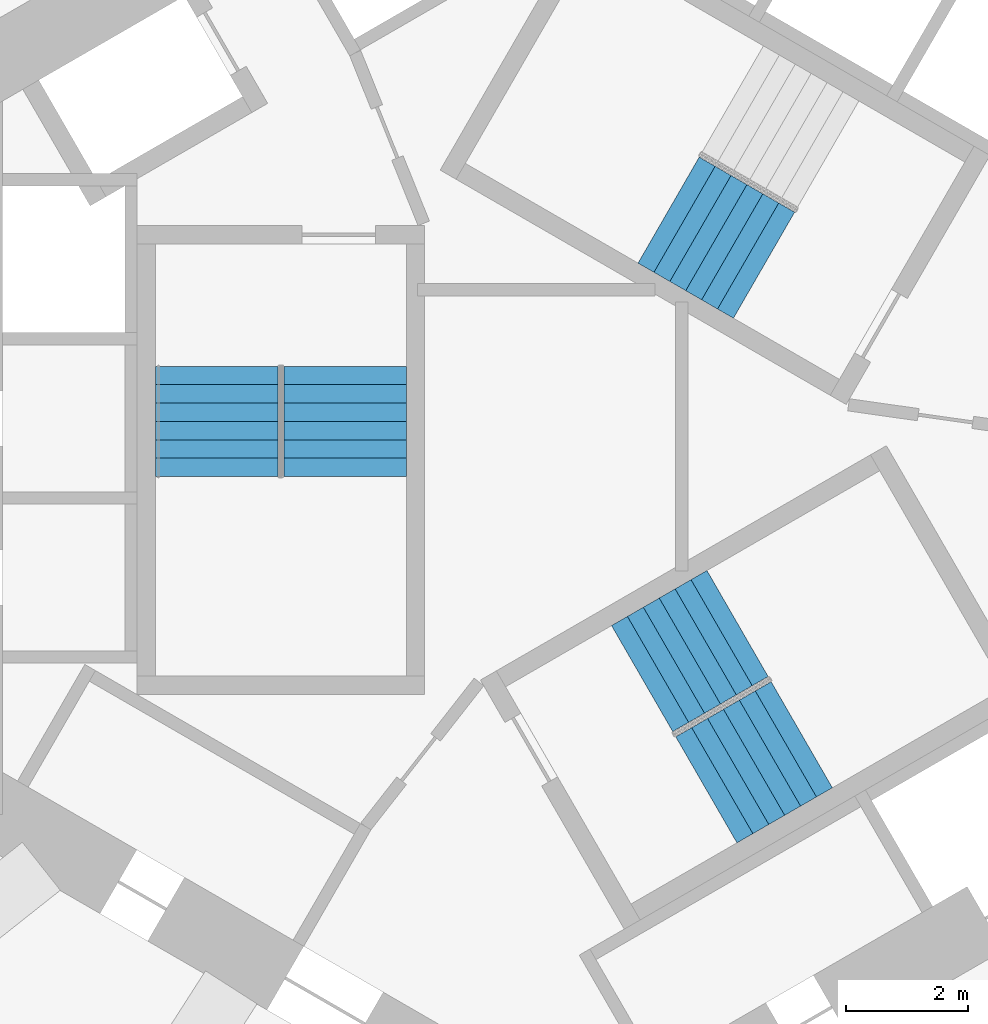
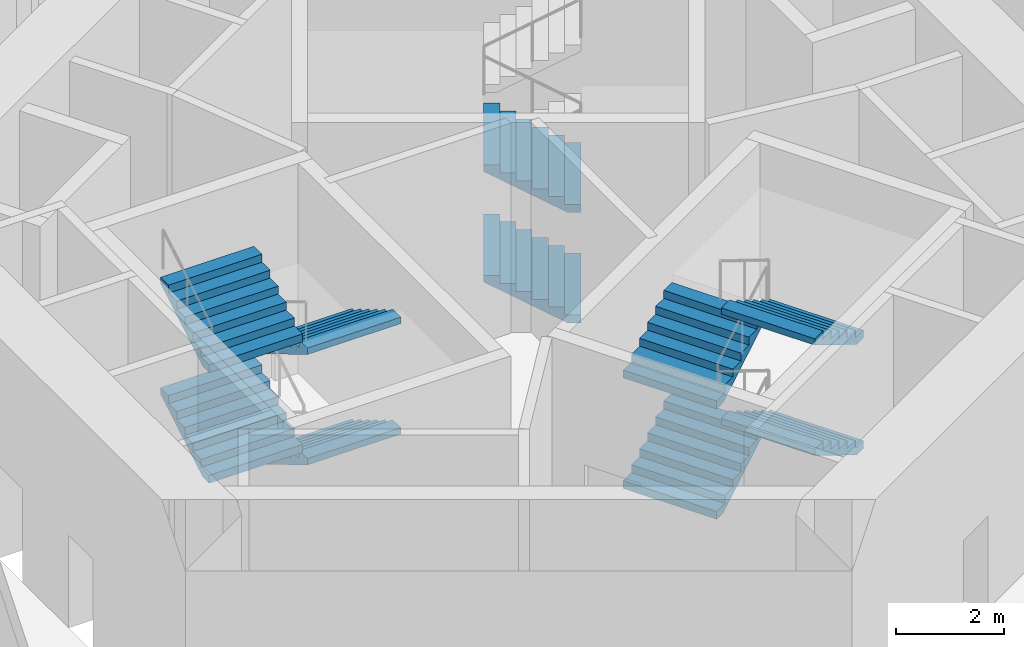
# One storey, part 16 of 19: 10 stair flights, 3 elements without a shape of their own.
"""IFC4 building model written with IfcOpenShell, lengths in metres."""

from ifc_helpers import new_model, si_unit, direction, frame, origin, place, context, subcontext, project, spatial, triangles, source, transform, mapped, material, type_object, element, aggregate, save


model = new_model("IFC4")

# Units and contexts
model_context = context("Model", 3, precision=1e-05, world=origin(), true_north=direction((0.0, 1.0)))
body_context = subcontext(model_context, "Body", "Model", "MODEL_VIEW")
ifc_project = project(units=[si_unit("LENGTHUNIT", "METRE"), si_unit("AREAUNIT", "SQUARE_METRE"), si_unit("VOLUMEUNIT", "CUBIC_METRE"), si_unit("PLANEANGLEUNIT", "RADIAN"), si_unit("MASSUNIT", "GRAM", prefix="KILO")], contexts=[model_context])

# Site, building, storey
site_placement = place(None, origin())
site = spatial("IfcSite", under=ifc_project, at=site_placement, CompositionType="ELEMENT")
building_placement = place(site_placement, origin())
building = spatial("IfcBuilding", under=site, at=building_placement, Name="Vanh Sen Convention Tower", CompositionType="ELEMENT")
storey_placement = place(building_placement, frame((0.0, 0.0, 39.0)))
storey = spatial("IfcBuildingStorey", under=building, at=storey_placement, Name="L06", CompositionType="ELEMENT", Elevation=39.0)

# Stair, stair flights
ifc_material_1 = material(Name="Concrete C50/60", Category="concrete")
stair_type_1 = type_object("IfcStairType", Name="Exit stair ST1 28 risers at 178.6", PredefinedType="HALF_TURN_STAIR", material=ifc_material_1)
stair_1_placement = place(storey_placement, origin())
stair_1 = element("IfcStair", 1, at=stair_1_placement, inside=storey, type_object=stair_type_1, Name="Exit stair ST1 L06", PredefinedType="HALF_TURN_STAIR")
ifc_material_2 = material(Name="Concrete C40/50", Category="concrete")
stair_flight_type = type_object("IfcStairFlightType", Name="Stair flight 2000", PredefinedType="STRAIGHT", material=ifc_material_2)
shared_shape = source(origin(), body_context, "Body", "Tessellation", [
    triangles([(0.244384765625, 1.0, 0.0), (0.0, 1.0, 0.0), (0.0, 1.0, 0.178466796875), (0.300048828125, 1.0, 0.178466796875), (0.300048828125, 1.0, 0.357177734375), (0.60009765625, 1.0, 0.357177734375), (0.60009765625, 1.0, 0.53564453125), (0.89990234375, 1.0, 0.53564453125), (0.89990234375, 1.0, 0.71435546875), (1.199951171875, 1.0, 0.71435546875), (1.199951171875, 1.0, 0.892822265625), (1.5, 1.0, 0.892822265625), (1.5, 1.0, 1.071533203125), (1.800048828125, 1.0, 1.071533203125), (1.800048828125, 1.0, 0.926025390625), (0.244384765625, -1.0, 0.0), (0.0, -1.0, 0.0), (0.0, -1.0, 0.178466796875), (0.300048828125, -1.0, 0.178466796875), (0.300048828125, -1.0, 0.357177734375), (0.60009765625, -1.0, 0.357177734375), (0.60009765625, -1.0, 0.53564453125), (0.89990234375, -1.0, 0.53564453125), (0.89990234375, -1.0, 0.71435546875), (1.199951171875, -1.0, 0.71435546875), (1.199951171875, -1.0, 0.892822265625), (1.5, -1.0, 0.892822265625), (1.5, -1.0, 1.071533203125), (1.800048828125, -1.0, 1.071533203125), (1.800048828125, -1.0, 0.926025390625), (0.0, 0.0400390625, 0.0), (0.0, 0.0390625, 0.0), (0.0, 0.0380859375, 0.0), (0.0, 0.037109375, 0.0), (0.0, 0.035888671875, 0.0), (0.0, 0.034912109375, 0.0), (0.0, 0.033935546875, 0.0), (0.0, 0.032958984375, 0.0), (0.0, 0.031982421875, 0.0), (0.0, 0.031005859375, 0.0), (0.0, 0.030029296875, 0.0), (0.0, 0.029052734375, 0.0), (0.0, 0.028076171875, 0.0), (0.0, 0.027099609375, 0.0), (0.0, 0.02587890625, 0.0), (0.0, 0.02490234375, 0.0), (0.0, 0.02392578125, 0.0), (0.0, 0.02294921875, 0.0), (0.0, 0.02197265625, 0.0), (0.0, 0.02099609375, 0.0), (0.0, 0.02001953125, 0.0), (0.0, 0.01904296875, 0.0), (0.0, 0.01806640625, 0.0), (0.0, 0.01708984375, 0.0), (0.0, 0.01611328125, 0.0), (0.0, 0.014892578125, 0.0), (0.0, 0.013916015625, 0.0), (0.0, 0.012939453125, 0.0), (0.0, 0.011962890625, 0.0), (0.0, 0.010986328125, 0.0), (0.0, 0.010009765625, 0.0), (0.0, 0.009033203125, 0.0), (0.0, 0.008056640625, 0.0), (0.0, 0.007080078125, 0.0), (0.0, 0.006103515625, 0.0), (0.0, 0.0048828125, 0.0), (0.0, 0.00390625, 0.0), (0.0, 0.0029296875, 0.0), (0.0, 0.001953125, 0.0), (0.0, 0.0009765625, 0.0), (0.0, 0.0, 0.0), (0.0, -0.0009765625, 0.0), (0.0, -0.001953125, 0.0), (0.0, -0.0029296875, 0.0), (0.0, -0.00390625, 0.0), (0.0, -0.0048828125, 0.0), (0.0, -0.006103515625, 0.0), (0.0, -0.007080078125, 0.0), (0.0, -0.008056640625, 0.0), (0.0, -0.009033203125, 0.0), (0.0, -0.010009765625, 0.0), (0.0, -0.010986328125, 0.0), (0.0, -0.011962890625, 0.0), (0.0, -0.012939453125, 0.0), (0.0, -0.013916015625, 0.0), (0.0, -0.014892578125, 0.0), (0.0, -0.01611328125, 0.0), (0.0, -0.01708984375, 0.0), (0.0, -0.01806640625, 0.0), (0.0, -0.01904296875, 0.0), (0.0, -0.02001953125, 0.0), (0.0, -0.02099609375, 0.0), (0.0, -0.02197265625, 0.0), (0.0, -0.02294921875, 0.0), (0.0, -0.02392578125, 0.0), (0.0, -0.02490234375, 0.0), (0.0, -0.02587890625, 0.0), (0.0, -0.027099609375, 0.0), (0.0, -0.028076171875, 0.0), (0.0, -0.029052734375, 0.0), (0.0, -0.030029296875, 0.0), (0.0, -0.031005859375, 0.0), (0.0, -0.031982421875, 0.0), (0.0, -0.032958984375, 0.0), (0.0, -0.033935546875, 0.0), (0.0, -0.034912109375, 0.0), (0.0, -0.035888671875, 0.0), (0.0, -0.037109375, 0.0), (0.0, -0.0380859375, 0.0), (0.0, -0.0390625, 0.0), (0.0, -0.0400390625, 0.0), (0.0, 0.0400390625, 0.178466796875), (0.0, 0.0390625, 0.178466796875), (0.0, 0.0380859375, 0.178466796875), (0.0, 0.037109375, 0.178466796875), (0.0, 0.035888671875, 0.178466796875), (0.0, 0.034912109375, 0.178466796875), (0.0, 0.033935546875, 0.178466796875), (0.0, 0.032958984375, 0.178466796875), (0.0, 0.031982421875, 0.178466796875), (0.0, 0.031005859375, 0.178466796875), (0.0, 0.030029296875, 0.178466796875), (0.0, 0.029052734375, 0.178466796875), (0.0, 0.028076171875, 0.178466796875), (0.0, 0.027099609375, 0.178466796875), (0.0, 0.02587890625, 0.178466796875), (0.0, 0.02490234375, 0.178466796875), (0.0, 0.02392578125, 0.178466796875), (0.0, 0.02294921875, 0.178466796875), (0.0, 0.02197265625, 0.178466796875), (0.0, 0.02099609375, 0.178466796875), (0.0, 0.02001953125, 0.178466796875), (0.0, 0.01904296875, 0.178466796875), (0.0, 0.01806640625, 0.178466796875), (0.0, 0.01708984375, 0.178466796875), (0.0, 0.01611328125, 0.178466796875), (0.0, 0.014892578125, 0.178466796875), (0.0, 0.013916015625, 0.178466796875), (0.0, 0.012939453125, 0.178466796875), (0.0, 0.011962890625, 0.178466796875), (0.0, 0.010986328125, 0.178466796875), (0.0, 0.010009765625, 0.178466796875), (0.0, 0.009033203125, 0.178466796875), (0.0, 0.008056640625, 0.178466796875), (0.0, 0.007080078125, 0.178466796875), (0.0, 0.006103515625, 0.178466796875), (0.0, 0.0048828125, 0.178466796875), (0.0, 0.00390625, 0.178466796875), (0.0, 0.0029296875, 0.178466796875), (0.0, 0.001953125, 0.178466796875), (0.0, 0.0009765625, 0.178466796875), (0.0, 0.0, 0.178466796875), (0.0, -0.0009765625, 0.178466796875), (0.0, -0.001953125, 0.178466796875), (0.0, -0.0029296875, 0.178466796875), (0.0, -0.00390625, 0.178466796875), (0.0, -0.0048828125, 0.178466796875), (0.0, -0.006103515625, 0.178466796875), (0.0, -0.007080078125, 0.178466796875), (0.0, -0.008056640625, 0.178466796875), (0.0, -0.009033203125, 0.178466796875), (0.0, -0.010009765625, 0.178466796875), (0.0, -0.010986328125, 0.178466796875), (0.0, -0.011962890625, 0.178466796875), (0.0, -0.012939453125, 0.178466796875), (0.0, -0.013916015625, 0.178466796875), (0.0, -0.014892578125, 0.178466796875), (0.0, -0.01611328125, 0.178466796875), (0.0, -0.01708984375, 0.178466796875), (0.0, -0.01806640625, 0.178466796875), (0.0, -0.01904296875, 0.178466796875), (0.0, -0.02001953125, 0.178466796875), (0.0, -0.02099609375, 0.178466796875), (0.0, -0.02197265625, 0.178466796875), (0.0, -0.02294921875, 0.178466796875), (0.0, -0.02392578125, 0.178466796875), (0.0, -0.02490234375, 0.178466796875), (0.0, -0.02587890625, 0.178466796875), (0.0, -0.027099609375, 0.178466796875), (0.0, -0.028076171875, 0.178466796875), (0.0, -0.029052734375, 0.178466796875), (0.0, -0.030029296875, 0.178466796875), (0.0, -0.031005859375, 0.178466796875), (0.0, -0.031982421875, 0.178466796875), (0.0, -0.032958984375, 0.178466796875), (0.0, -0.033935546875, 0.178466796875), (0.0, -0.034912109375, 0.178466796875), (0.0, -0.035888671875, 0.178466796875), (0.0, -0.037109375, 0.178466796875), (0.0, -0.0380859375, 0.178466796875), (0.0, -0.0390625, 0.178466796875), (0.0, -0.0400390625, 0.178466796875), (0.300048828125, 0.0, 0.178466796875), (0.300048828125, 0.0, 0.357177734375), (0.60009765625, 0.0, 0.357177734375), (0.60009765625, 0.0, 0.53564453125), (0.89990234375, 0.0, 0.53564453125), (0.89990234375, 0.0, 0.71435546875), (1.199951171875, 0.0, 0.71435546875), (1.199951171875, 0.0, 0.892822265625), (1.5, 0.0, 0.892822265625), (1.5, 0.0, 1.071533203125), (1.800048828125, 0.0400390625, 1.071533203125), (1.800048828125, 0.0390625, 1.071533203125), (1.800048828125, 0.0380859375, 1.071533203125), (1.800048828125, 0.037109375, 1.071533203125), (1.800048828125, 0.035888671875, 1.071533203125), (1.800048828125, 0.034912109375, 1.071533203125), (1.800048828125, 0.033935546875, 1.071533203125), (1.800048828125, 0.032958984375, 1.071533203125), (1.800048828125, 0.031982421875, 1.071533203125), (1.800048828125, 0.031005859375, 1.071533203125), (1.800048828125, 0.030029296875, 1.071533203125), (1.800048828125, 0.029052734375, 1.071533203125), (1.800048828125, 0.028076171875, 1.071533203125), (1.800048828125, 0.027099609375, 1.071533203125), (1.800048828125, 0.02587890625, 1.071533203125), (1.800048828125, 0.02490234375, 1.071533203125), (1.800048828125, 0.02392578125, 1.071533203125), (1.800048828125, 0.02294921875, 1.071533203125), (1.800048828125, 0.02197265625, 1.071533203125), (1.800048828125, 0.02099609375, 1.071533203125), (1.800048828125, 0.02001953125, 1.071533203125), (1.800048828125, 0.01904296875, 1.071533203125), (1.800048828125, 0.01806640625, 1.071533203125), (1.800048828125, 0.01708984375, 1.071533203125), (1.800048828125, 0.01611328125, 1.071533203125), (1.800048828125, 0.014892578125, 1.071533203125), (1.800048828125, 0.013916015625, 1.071533203125), (1.800048828125, 0.012939453125, 1.071533203125), (1.800048828125, 0.011962890625, 1.071533203125), (1.800048828125, 0.010986328125, 1.071533203125), (1.800048828125, 0.010009765625, 1.071533203125), (1.800048828125, 0.009033203125, 1.071533203125), (1.800048828125, 0.008056640625, 1.071533203125), (1.800048828125, 0.007080078125, 1.071533203125), (1.800048828125, 0.006103515625, 1.071533203125), (1.800048828125, 0.0048828125, 1.071533203125), (1.800048828125, 0.00390625, 1.071533203125), (1.800048828125, 0.0029296875, 1.071533203125), (1.800048828125, 0.001953125, 1.071533203125), (1.800048828125, 0.0009765625, 1.071533203125), (1.800048828125, 0.0, 1.071533203125), (1.800048828125, -0.0009765625, 1.071533203125), (1.800048828125, -0.001953125, 1.071533203125), (1.800048828125, -0.0029296875, 1.071533203125), (1.800048828125, -0.00390625, 1.071533203125), (1.800048828125, -0.0048828125, 1.071533203125), (1.800048828125, -0.006103515625, 1.071533203125), (1.800048828125, -0.007080078125, 1.071533203125), (1.800048828125, -0.008056640625, 1.071533203125), (1.800048828125, -0.009033203125, 1.071533203125), (1.800048828125, -0.010009765625, 1.071533203125), (1.800048828125, -0.010986328125, 1.071533203125), (1.800048828125, -0.011962890625, 1.071533203125), (1.800048828125, -0.012939453125, 1.071533203125), (1.800048828125, -0.013916015625, 1.071533203125), (1.800048828125, -0.014892578125, 1.071533203125), (1.800048828125, -0.01611328125, 1.071533203125), (1.800048828125, -0.01708984375, 1.071533203125), (1.800048828125, -0.01806640625, 1.071533203125), (1.800048828125, -0.01904296875, 1.071533203125), (1.800048828125, -0.02001953125, 1.071533203125), (1.800048828125, -0.02099609375, 1.071533203125), (1.800048828125, -0.02197265625, 1.071533203125), (1.800048828125, -0.02294921875, 1.071533203125), (1.800048828125, -0.02392578125, 1.071533203125), (1.800048828125, -0.02490234375, 1.071533203125), (1.800048828125, -0.02587890625, 1.071533203125), (1.800048828125, -0.027099609375, 1.071533203125), (1.800048828125, -0.028076171875, 1.071533203125), (1.800048828125, -0.029052734375, 1.071533203125), (1.800048828125, -0.030029296875, 1.071533203125), (1.800048828125, -0.031005859375, 1.071533203125), (1.800048828125, -0.031982421875, 1.071533203125), (1.800048828125, -0.032958984375, 1.071533203125), (1.800048828125, -0.033935546875, 1.071533203125), (1.800048828125, -0.034912109375, 1.071533203125), (1.800048828125, -0.035888671875, 1.071533203125), (1.800048828125, -0.037109375, 1.071533203125), (1.800048828125, -0.0380859375, 1.071533203125), (1.800048828125, -0.0390625, 1.071533203125), (1.800048828125, -0.0400390625, 1.071533203125), (1.800048828125, 0.0400390625, 0.926025390625), (1.800048828125, 0.0390625, 0.926025390625), (1.800048828125, 0.0380859375, 0.926025390625), (1.800048828125, 0.037109375, 0.926025390625), (1.800048828125, 0.035888671875, 0.926025390625), (1.800048828125, 0.034912109375, 0.926025390625), (1.800048828125, 0.033935546875, 0.926025390625), (1.800048828125, 0.032958984375, 0.926025390625), (1.800048828125, 0.031982421875, 0.926025390625), (1.800048828125, 0.031005859375, 0.926025390625), (1.800048828125, 0.030029296875, 0.926025390625), (1.800048828125, 0.029052734375, 0.926025390625), (1.800048828125, 0.028076171875, 0.926025390625), (1.800048828125, 0.027099609375, 0.926025390625), (1.800048828125, 0.02587890625, 0.926025390625), (1.800048828125, 0.02490234375, 0.926025390625), (1.800048828125, 0.02392578125, 0.926025390625), (1.800048828125, 0.02294921875, 0.926025390625), (1.800048828125, 0.02197265625, 0.926025390625), (1.800048828125, 0.02099609375, 0.926025390625), (1.800048828125, 0.02001953125, 0.926025390625), (1.800048828125, 0.01904296875, 0.926025390625), (1.800048828125, 0.01806640625, 0.926025390625), (1.800048828125, 0.01708984375, 0.926025390625), (1.800048828125, 0.01611328125, 0.926025390625), (1.800048828125, 0.014892578125, 0.926025390625), (1.800048828125, 0.013916015625, 0.926025390625), (1.800048828125, 0.012939453125, 0.926025390625), (1.800048828125, 0.011962890625, 0.926025390625), (1.800048828125, 0.010986328125, 0.926025390625), (1.800048828125, 0.010009765625, 0.926025390625), (1.800048828125, 0.009033203125, 0.926025390625), (1.800048828125, 0.008056640625, 0.926025390625), (1.800048828125, 0.007080078125, 0.926025390625), (1.800048828125, 0.006103515625, 0.926025390625), (1.800048828125, 0.0048828125, 0.926025390625), (1.800048828125, 0.00390625, 0.926025390625), (1.800048828125, 0.0029296875, 0.926025390625), (1.800048828125, 0.001953125, 0.926025390625), (1.800048828125, 0.0009765625, 0.926025390625), (1.800048828125, 0.0, 0.926025390625), (1.800048828125, -0.0009765625, 0.926025390625), (1.800048828125, -0.001953125, 0.926025390625), (1.800048828125, -0.0029296875, 0.926025390625), (1.800048828125, -0.00390625, 0.926025390625), (1.800048828125, -0.0048828125, 0.926025390625), (1.800048828125, -0.006103515625, 0.926025390625), (1.800048828125, -0.007080078125, 0.926025390625), (1.800048828125, -0.008056640625, 0.926025390625), (1.800048828125, -0.009033203125, 0.926025390625), (1.800048828125, -0.010009765625, 0.926025390625), (1.800048828125, -0.010986328125, 0.926025390625), (1.800048828125, -0.011962890625, 0.926025390625), (1.800048828125, -0.012939453125, 0.926025390625), (1.800048828125, -0.013916015625, 0.926025390625), (1.800048828125, -0.014892578125, 0.926025390625), (1.800048828125, -0.01611328125, 0.926025390625), (1.800048828125, -0.01708984375, 0.926025390625), (1.800048828125, -0.01806640625, 0.926025390625), (1.800048828125, -0.01904296875, 0.926025390625), (1.800048828125, -0.02001953125, 0.926025390625), (1.800048828125, -0.02099609375, 0.926025390625), (1.800048828125, -0.02197265625, 0.926025390625), (1.800048828125, -0.02294921875, 0.926025390625), (1.800048828125, -0.02392578125, 0.926025390625), (1.800048828125, -0.02490234375, 0.926025390625), (1.800048828125, -0.02587890625, 0.926025390625), (1.800048828125, -0.027099609375, 0.926025390625), (1.800048828125, -0.028076171875, 0.926025390625), (1.800048828125, -0.029052734375, 0.926025390625), (1.800048828125, -0.030029296875, 0.926025390625), (1.800048828125, -0.031005859375, 0.926025390625), (1.800048828125, -0.031982421875, 0.926025390625), (1.800048828125, -0.032958984375, 0.926025390625), (1.800048828125, -0.033935546875, 0.926025390625), (1.800048828125, -0.034912109375, 0.926025390625), (1.800048828125, -0.035888671875, 0.926025390625), (1.800048828125, -0.037109375, 0.926025390625), (1.800048828125, -0.0380859375, 0.926025390625), (1.800048828125, -0.0390625, 0.926025390625), (1.800048828125, -0.0400390625, 0.926025390625), (0.244384765625, 0.0, 0.0)], [[1, 2, 3], [1, 3, 4], [4, 5, 6], [1, 4, 6], [6, 7, 8], [1, 6, 8], [8, 9, 10], [1, 8, 10], [10, 11, 12], [1, 10, 12], [12, 13, 14], [1, 12, 14], [14, 15, 1], [16, 18, 17], [16, 19, 18], [19, 21, 20], [16, 21, 19], [21, 23, 22], [16, 23, 21], [23, 25, 24], [16, 25, 23], [25, 27, 26], [16, 27, 25], [27, 29, 28], [16, 29, 27], [29, 16, 30], [2, 112, 3], [2, 31, 112], [31, 113, 112], [31, 32, 113], [32, 114, 113], [32, 33, 114], [33, 115, 114], [33, 34, 115], [34, 116, 115], [34, 35, 116], [35, 117, 116], [35, 36, 117], [36, 118, 117], [36, 37, 118], [37, 119, 118], [37, 38, 119], [38, 120, 119], [38, 39, 120], [39, 121, 120], [39, 40, 121], [40, 122, 121], [40, 41, 122], [41, 123, 122], [41, 42, 123], [42, 124, 123], [42, 43, 124], [43, 125, 124], [43, 44, 125], [44, 126, 125], [44, 45, 126], [45, 127, 126], [45, 46, 127], [46, 128, 127], [46, 47, 128], [47, 129, 128], [47, 48, 129], [48, 130, 129], [48, 49, 130], [49, 131, 130], [49, 50, 131], [50, 132, 131], [50, 51, 132], [51, 133, 132], [51, 52, 133], [52, 134, 133], [52, 53, 134], [53, 135, 134], [53, 54, 135], [54, 136, 135], [54, 55, 136], [55, 137, 136], [55, 56, 137], [56, 138, 137], [56, 57, 138], [57, 139, 138], [57, 58, 139], [58, 140, 139], [58, 59, 140], [59, 141, 140], [59, 60, 141], [60, 142, 141], [60, 61, 142], [61, 143, 142], [61, 62, 143], [62, 144, 143], [62, 63, 144], [63, 145, 144], [63, 64, 145], [64, 146, 145], [64, 65, 146], [65, 147, 146], [65, 66, 147], [66, 148, 147], [66, 67, 148], [67, 149, 148], [67, 68, 149], [68, 150, 149], [68, 69, 150], [69, 151, 150], [69, 70, 151], [70, 152, 151], [70, 71, 152], [71, 72, 152], [152, 72, 153], [72, 73, 153], [153, 73, 154], [73, 74, 154], [154, 74, 155], [74, 75, 155], [155, 75, 156], [75, 76, 156], [156, 76, 157], [76, 77, 157], [157, 77, 158], [77, 78, 158], [158, 78, 159], [78, 79, 159], [159, 79, 160], [79, 80, 160], [160, 80, 161], [80, 81, 161], [161, 81, 162], [81, 82, 162], [162, 82, 163], [82, 83, 163], [163, 83, 164], [83, 84, 164], [164, 84, 165], [84, 85, 165], [165, 85, 166], [85, 86, 166], [166, 86, 167], [86, 87, 167], [167, 87, 168], [87, 88, 168], [168, 88, 169], [88, 89, 169], [169, 89, 170], [89, 90, 170], [170, 90, 171], [90, 91, 171], [171, 91, 172], [91, 92, 172], [172, 92, 173], [92, 93, 173], [173, 93, 174], [93, 94, 174], [174, 94, 175], [94, 95, 175], [175, 95, 176], [95, 96, 176], [176, 96, 177], [96, 97, 177], [177, 97, 178], [97, 98, 178], [178, 98, 179], [98, 99, 179], [179, 99, 180], [99, 100, 180], [180, 100, 181], [100, 101, 181], [181, 101, 182], [101, 102, 182], [182, 102, 183], [102, 103, 183], [183, 103, 184], [103, 104, 184], [184, 104, 185], [104, 105, 185], [185, 105, 186], [105, 106, 186], [186, 106, 187], [106, 107, 187], [187, 107, 188], [107, 108, 188], [188, 108, 189], [108, 109, 189], [189, 109, 190], [109, 110, 190], [190, 110, 191], [110, 111, 191], [191, 111, 192], [111, 17, 192], [192, 17, 18], [4, 3, 112], [4, 112, 113], [4, 113, 114], [4, 114, 115], [4, 115, 116], [4, 116, 117], [4, 117, 118], [4, 118, 119], [4, 119, 120], [4, 120, 121], [4, 121, 122], [4, 122, 123], [4, 123, 124], [4, 124, 125], [4, 125, 126], [4, 126, 127], [4, 127, 128], [4, 128, 129], [4, 129, 130], [4, 130, 131], [4, 131, 132], [4, 132, 133], [4, 133, 134], [4, 134, 135], [4, 135, 136], [4, 136, 137], [4, 137, 138], [4, 138, 139], [4, 139, 140], [4, 140, 141], [4, 141, 142], [4, 142, 143], [4, 143, 144], [4, 144, 145], [4, 145, 146], [4, 146, 147], [4, 147, 148], [4, 148, 149], [4, 149, 150], [4, 150, 151], [4, 151, 152], [19, 152, 153], [19, 153, 154], [19, 154, 155], [19, 155, 156], [19, 156, 157], [19, 157, 158], [19, 158, 159], [19, 159, 160], [19, 160, 161], [19, 161, 162], [19, 162, 163], [19, 163, 164], [19, 164, 165], [19, 165, 166], [19, 166, 167], [19, 167, 168], [19, 168, 169], [19, 169, 170], [19, 170, 171], [19, 171, 172], [19, 172, 173], [19, 173, 174], [19, 174, 175], [19, 175, 176], [19, 176, 177], [19, 177, 178], [19, 178, 179], [19, 179, 180], [19, 180, 181], [19, 181, 182], [19, 182, 183], [19, 183, 184], [19, 184, 185], [19, 185, 186], [19, 186, 187], [19, 187, 188], [19, 188, 189], [19, 189, 190], [19, 190, 191], [19, 191, 192], [19, 192, 18], [4, 152, 193], [19, 193, 152], [4, 194, 5], [4, 193, 194], [193, 19, 194], [194, 19, 20], [5, 195, 6], [5, 194, 195], [194, 20, 195], [195, 20, 21], [6, 196, 7], [6, 195, 196], [195, 21, 196], [196, 21, 22], [7, 197, 8], [7, 196, 197], [196, 22, 197], [197, 22, 23], [8, 198, 9], [8, 197, 198], [197, 23, 198], [198, 23, 24], [9, 199, 10], [9, 198, 199], [198, 24, 199], [199, 24, 25], [10, 200, 11], [10, 199, 200], [199, 25, 200], [200, 25, 26], [11, 201, 12], [11, 200, 201], [200, 26, 201], [201, 26, 27], [12, 202, 13], [12, 201, 202], [201, 27, 202], [202, 27, 28], [13, 203, 14], [13, 204, 203], [13, 205, 204], [13, 206, 205], [13, 207, 206], [13, 208, 207], [13, 209, 208], [13, 210, 209], [13, 211, 210], [13, 212, 211], [13, 213, 212], [13, 214, 213], [13, 215, 214], [13, 216, 215], [13, 217, 216], [13, 218, 217], [13, 219, 218], [13, 220, 219], [13, 221, 220], [13, 222, 221], [13, 223, 222], [13, 224, 223], [13, 225, 224], [13, 226, 225], [13, 227, 226], [13, 228, 227], [13, 229, 228], [13, 230, 229], [13, 231, 230], [13, 232, 231], [13, 233, 232], [13, 234, 233], [13, 235, 234], [13, 236, 235], [13, 237, 236], [13, 238, 237], [13, 239, 238], [13, 240, 239], [13, 241, 240], [13, 242, 241], [13, 243, 242], [28, 244, 243], [28, 245, 244], [28, 246, 245], [28, 247, 246], [28, 248, 247], [28, 249, 248], [28, 250, 249], [28, 251, 250], [28, 252, 251], [28, 253, 252], [28, 254, 253], [28, 255, 254], [28, 256, 255], [28, 257, 256], [28, 258, 257], [28, 259, 258], [28, 260, 259], [28, 261, 260], [28, 262, 261], [28, 263, 262], [28, 264, 263], [28, 265, 264], [28, 266, 265], [28, 267, 266], [28, 268, 267], [28, 269, 268], [28, 270, 269], [28, 271, 270], [28, 272, 271], [28, 273, 272], [28, 274, 273], [28, 275, 274], [28, 276, 275], [28, 277, 276], [28, 278, 277], [28, 279, 278], [28, 280, 279], [28, 281, 280], [28, 282, 281], [28, 283, 282], [28, 29, 283], [13, 202, 243], [28, 243, 202], [14, 284, 15], [14, 203, 284], [203, 285, 284], [203, 204, 285], [204, 286, 285], [204, 205, 286], [205, 287, 286], [205, 206, 287], [206, 288, 287], [206, 207, 288], [207, 289, 288], [207, 208, 289], [208, 290, 289], [208, 209, 290], [209, 291, 290], [209, 210, 291], [210, 292, 291], [210, 211, 292], [211, 293, 292], [211, 212, 293], [212, 294, 293], [212, 213, 294], [213, 295, 294], [213, 214, 295], [214, 296, 295], [214, 215, 296], [215, 297, 296], [215, 216, 297], [216, 298, 297], [216, 217, 298], [217, 299, 298], [217, 218, 299], [218, 300, 299], [218, 219, 300], [219, 301, 300], [219, 220, 301], [220, 302, 301], [220, 221, 302], [221, 303, 302], [221, 222, 303], [222, 304, 303], [222, 223, 304], [223, 305, 304], [223, 224, 305], [224, 306, 305], [224, 225, 306], [225, 307, 306], [225, 226, 307], [226, 308, 307], [226, 227, 308], [227, 309, 308], [227, 228, 309], [228, 310, 309], [228, 229, 310], [229, 311, 310], [229, 230, 311], [230, 312, 311], [230, 231, 312], [231, 313, 312], [231, 232, 313], [232, 314, 313], [232, 233, 314], [233, 315, 314], [233, 234, 315], [234, 316, 315], [234, 235, 316], [235, 317, 316], [235, 236, 317], [236, 318, 317], [236, 237, 318], [237, 319, 318], [237, 238, 319], [238, 320, 319], [238, 239, 320], [239, 321, 320], [239, 240, 321], [240, 322, 321], [240, 241, 322], [241, 323, 322], [241, 242, 323], [242, 324, 323], [242, 243, 324], [243, 244, 324], [324, 244, 325], [244, 245, 325], [325, 245, 326], [245, 246, 326], [326, 246, 327], [246, 247, 327], [327, 247, 328], [247, 248, 328], [328, 248, 329], [248, 249, 329], [329, 249, 330], [249, 250, 330], [330, 250, 331], [250, 251, 331], [331, 251, 332], [251, 252, 332], [332, 252, 333], [252, 253, 333], [333, 253, 334], [253, 254, 334], [334, 254, 335], [254, 255, 335], [335, 255, 336], [255, 256, 336], [336, 256, 337], [256, 257, 337], [337, 257, 338], [257, 258, 338], [338, 258, 339], [258, 259, 339], [339, 259, 340], [259, 260, 340], [340, 260, 341], [260, 261, 341], [341, 261, 342], [261, 262, 342], [342, 262, 343], [262, 263, 343], [343, 263, 344], [263, 264, 344], [344, 264, 345], [264, 265, 345], [345, 265, 346], [265, 266, 346], [346, 266, 347], [266, 267, 347], [347, 267, 348], [267, 268, 348], [348, 268, 349], [268, 269, 349], [349, 269, 350], [269, 270, 350], [350, 270, 351], [270, 271, 351], [351, 271, 352], [271, 272, 352], [352, 272, 353], [272, 273, 353], [353, 273, 354], [273, 274, 354], [354, 274, 355], [274, 275, 355], [355, 275, 356], [275, 276, 356], [356, 276, 357], [276, 277, 357], [357, 277, 358], [277, 278, 358], [358, 278, 359], [278, 279, 359], [359, 279, 360], [279, 280, 360], [360, 280, 361], [280, 281, 361], [361, 281, 362], [281, 282, 362], [362, 282, 363], [282, 283, 363], [363, 283, 364], [283, 29, 364], [364, 29, 30], [1, 15, 284], [1, 284, 285], [1, 285, 286], [1, 286, 287], [1, 287, 288], [1, 288, 289], [1, 289, 290], [1, 290, 291], [1, 291, 292], [1, 292, 293], [1, 293, 294], [1, 294, 295], [1, 295, 296], [1, 296, 297], [1, 297, 298], [1, 298, 299], [1, 299, 300], [1, 300, 301], [1, 301, 302], [1, 302, 303], [1, 303, 304], [1, 304, 305], [1, 305, 306], [1, 306, 307], [1, 307, 308], [1, 308, 309], [1, 309, 310], [1, 310, 311], [1, 311, 312], [1, 312, 313], [1, 313, 314], [1, 314, 315], [1, 315, 316], [1, 316, 317], [1, 317, 318], [1, 318, 319], [1, 319, 320], [1, 320, 321], [1, 321, 322], [1, 322, 323], [1, 323, 324], [16, 324, 325], [16, 325, 326], [16, 326, 327], [16, 327, 328], [16, 328, 329], [16, 329, 330], [16, 330, 331], [16, 331, 332], [16, 332, 333], [16, 333, 334], [16, 334, 335], [16, 335, 336], [16, 336, 337], [16, 337, 338], [16, 338, 339], [16, 339, 340], [16, 340, 341], [16, 341, 342], [16, 342, 343], [16, 343, 344], [16, 344, 345], [16, 345, 346], [16, 346, 347], [16, 347, 348], [16, 348, 349], [16, 349, 350], [16, 350, 351], [16, 351, 352], [16, 352, 353], [16, 353, 354], [16, 354, 355], [16, 355, 356], [16, 356, 357], [16, 357, 358], [16, 358, 359], [16, 359, 360], [16, 360, 361], [16, 361, 362], [16, 362, 363], [16, 363, 364], [16, 364, 30], [1, 324, 365], [16, 365, 324], [1, 31, 2], [1, 32, 31], [1, 33, 32], [1, 34, 33], [1, 35, 34], [1, 36, 35], [1, 37, 36], [1, 38, 37], [1, 39, 38], [1, 40, 39], [1, 41, 40], [1, 42, 41], [1, 43, 42], [1, 44, 43], [1, 45, 44], [1, 46, 45], [1, 47, 46], [1, 48, 47], [1, 49, 48], [1, 50, 49], [1, 51, 50], [1, 52, 51], [1, 53, 52], [1, 54, 53], [1, 55, 54], [1, 56, 55], [1, 57, 56], [1, 58, 57], [1, 59, 58], [1, 60, 59], [1, 61, 60], [1, 62, 61], [1, 63, 62], [1, 64, 63], [1, 65, 64], [1, 66, 65], [1, 67, 66], [1, 68, 67], [1, 69, 68], [1, 70, 69], [1, 71, 70], [16, 72, 71], [16, 73, 72], [16, 74, 73], [16, 75, 74], [16, 76, 75], [16, 77, 76], [16, 78, 77], [16, 79, 78], [16, 80, 79], [16, 81, 80], [16, 82, 81], [16, 83, 82], [16, 84, 83], [16, 85, 84], [16, 86, 85], [16, 87, 86], [16, 88, 87], [16, 89, 88], [16, 90, 89], [16, 91, 90], [16, 92, 91], [16, 93, 92], [16, 94, 93], [16, 95, 94], [16, 96, 95], [16, 97, 96], [16, 98, 97], [16, 99, 98], [16, 100, 99], [16, 101, 100], [16, 102, 101], [16, 103, 102], [16, 104, 103], [16, 105, 104], [16, 106, 105], [16, 107, 106], [16, 108, 107], [16, 109, 108], [16, 110, 109], [16, 111, 110], [16, 17, 111], [1, 365, 71], [16, 71, 365]], closed=True),
])
stair_flight_1_placement = place(storey_placement, frame((2.94580078125, 2.802490234375, 0.0), z_axis=(0.0, 0.0, 1.0), x_axis=(-0.866025403784, 0.5, 0.0)))
stair_flight_1 = element("IfcStairFlight", 2, at=stair_flight_1_placement, type_object=stair_flight_type, Name="ST1 flight 1", NumberOfRisers=7, NumberOfTreads=6, PredefinedType="STRAIGHT", RiserHeight=0.178571429, TreadLength=0.3, context=body_context, shape_type="MappedRepresentation", body=[
    mapped(shared_shape, transform((0.0, 0.0, 0.0))),
])
stair_flight_2_placement = place(storey_placement, frame((2.94580078125, 2.802490234375, 2.5), z_axis=(0.0, 0.0, 1.0), x_axis=(-0.866025403784, 0.5, 0.0)))
stair_flight_2 = element("IfcStairFlight", 3, at=stair_flight_2_placement, type_object=stair_flight_type, Name="ST1 flight 3", NumberOfRisers=7, NumberOfTreads=6, PredefinedType="STRAIGHT", RiserHeight=0.178571429, TreadLength=0.3, context=body_context, shape_type="MappedRepresentation", body=[
    mapped(shared_shape, transform((0.0, 0.0, 0.0))),
])
aggregate(stair_1, [stair_flight_1, stair_flight_2])

stair_type_2 = type_object("IfcStairType", Name="Exit stair ST2 28 risers at 178.6", PredefinedType="HALF_TURN_STAIR", material=ifc_material_1)
stair_2_placement = place(storey_placement, origin())
stair_2 = element("IfcStair", 4, at=stair_2_placement, inside=storey, type_object=stair_type_2, Name="Exit stair ST2 L06", PredefinedType="HALF_TURN_STAIR")
stair_flight_3_placement = place(storey_placement, frame((-3.89990234375, 1.14990234375, 0.0), z_axis=(0.0, 0.0, 1.0), x_axis=(0.0, -1.0, 0.0)))
stair_flight_3 = element("IfcStairFlight", 5, at=stair_flight_3_placement, type_object=stair_flight_type, Name="ST2 flight 1", NumberOfRisers=7, NumberOfTreads=6, PredefinedType="STRAIGHT", RiserHeight=0.178571429, TreadLength=0.3, context=body_context, shape_type="MappedRepresentation", body=[
    mapped(shared_shape, transform((0.0, 0.0, 0.0))),
])
stair_flight_4_placement = place(storey_placement, frame((-6.0, -0.64990234375, 1.25), z_axis=(0.0, 0.0, 1.0), x_axis=(0.0, 1.0, 0.0)))
stair_flight_4 = element("IfcStairFlight", 6, at=stair_flight_4_placement, type_object=stair_flight_type, Name="ST2 flight 2", NumberOfRisers=7, NumberOfTreads=6, PredefinedType="STRAIGHT", RiserHeight=0.178571429, TreadLength=0.3, context=body_context, shape_type="MappedRepresentation", body=[
    mapped(shared_shape, transform((0.0, 0.0, 0.0))),
])
stair_flight_5_placement = place(storey_placement, frame((-3.89990234375, 1.14990234375, 2.5), z_axis=(0.0, 0.0, 1.0), x_axis=(0.0, -1.0, 0.0)))
stair_flight_5 = element("IfcStairFlight", 7, at=stair_flight_5_placement, type_object=stair_flight_type, Name="ST2 flight 3", NumberOfRisers=7, NumberOfTreads=6, PredefinedType="STRAIGHT", RiserHeight=0.178571429, TreadLength=0.3, context=body_context, shape_type="MappedRepresentation", body=[
    mapped(shared_shape, transform((0.0, 0.0, 0.0))),
])
stair_flight_6_placement = place(storey_placement, frame((-6.0, -0.64990234375, 3.75), z_axis=(0.0, 0.0, 1.0), x_axis=(0.0, 1.0, 0.0)))
stair_flight_6 = element("IfcStairFlight", 8, at=stair_flight_6_placement, type_object=stair_flight_type, Name="ST2 flight 4", NumberOfRisers=7, NumberOfTreads=6, PredefinedType="STRAIGHT", RiserHeight=0.178571429, TreadLength=0.3, context=body_context, shape_type="MappedRepresentation", body=[
    mapped(shared_shape, transform((0.0, 0.0, 0.0))),
])
aggregate(stair_2, [stair_flight_3, stair_flight_4, stair_flight_5, stair_flight_6])

stair_type_3 = type_object("IfcStairType", Name="Exit stair ST3 28 risers at 178.6", PredefinedType="HALF_TURN_STAIR", material=ifc_material_1)
stair_3_placement = place(storey_placement, origin())
stair_3 = element("IfcStair", 9, at=stair_3_placement, inside=storey, type_object=stair_type_3, Name="Exit stair ST3 L06", PredefinedType="HALF_TURN_STAIR")
stair_flight_7_placement = place(storey_placement, frame((0.9541015625, -3.952392578125, 0.0), z_axis=(0.0, 0.0, 1.0), x_axis=(0.866025403784, 0.5, 0.0)))
stair_flight_7 = element("IfcStairFlight", 10, at=stair_flight_7_placement, type_object=stair_flight_type, Name="ST3 flight 1", NumberOfRisers=7, NumberOfTreads=6, PredefinedType="STRAIGHT", RiserHeight=0.178571429, TreadLength=0.3, context=body_context, shape_type="MappedRepresentation", body=[
    mapped(shared_shape, transform((0.0, 0.0, 0.0))),
])
stair_flight_8_placement = place(storey_placement, frame((3.56298828125, -4.87109375, 1.25), z_axis=(0.0, 0.0, 1.0), x_axis=(-0.866025403784, -0.5, 0.0)))
stair_flight_8 = element("IfcStairFlight", 11, at=stair_flight_8_placement, type_object=stair_flight_type, Name="ST3 flight 2", NumberOfRisers=7, NumberOfTreads=6, PredefinedType="STRAIGHT", RiserHeight=0.178571429, TreadLength=0.3, context=body_context, shape_type="MappedRepresentation", body=[
    mapped(shared_shape, transform((0.0, 0.0, 0.0))),
])
stair_flight_9_placement = place(storey_placement, frame((0.9541015625, -3.952392578125, 2.5), z_axis=(0.0, 0.0, 1.0), x_axis=(0.866025403784, 0.5, 0.0)))
stair_flight_9 = element("IfcStairFlight", 12, at=stair_flight_9_placement, type_object=stair_flight_type, Name="ST3 flight 3", NumberOfRisers=7, NumberOfTreads=6, PredefinedType="STRAIGHT", RiserHeight=0.178571429, TreadLength=0.3, context=body_context, shape_type="MappedRepresentation", body=[
    mapped(shared_shape, transform((0.0, 0.0, 0.0))),
])
stair_flight_10_placement = place(storey_placement, frame((3.56298828125, -4.87109375, 3.75), z_axis=(0.0, 0.0, 1.0), x_axis=(-0.866025403784, -0.5, 0.0)))
stair_flight_10 = element("IfcStairFlight", 13, at=stair_flight_10_placement, type_object=stair_flight_type, Name="ST3 flight 4", NumberOfRisers=7, NumberOfTreads=6, PredefinedType="STRAIGHT", RiserHeight=0.178571429, TreadLength=0.3, context=body_context, shape_type="MappedRepresentation", body=[
    mapped(shared_shape, transform((0.0, 0.0, 0.0))),
])
aggregate(stair_3, [stair_flight_7, stair_flight_8, stair_flight_9, stair_flight_10])

save(model, "model.ifc")
